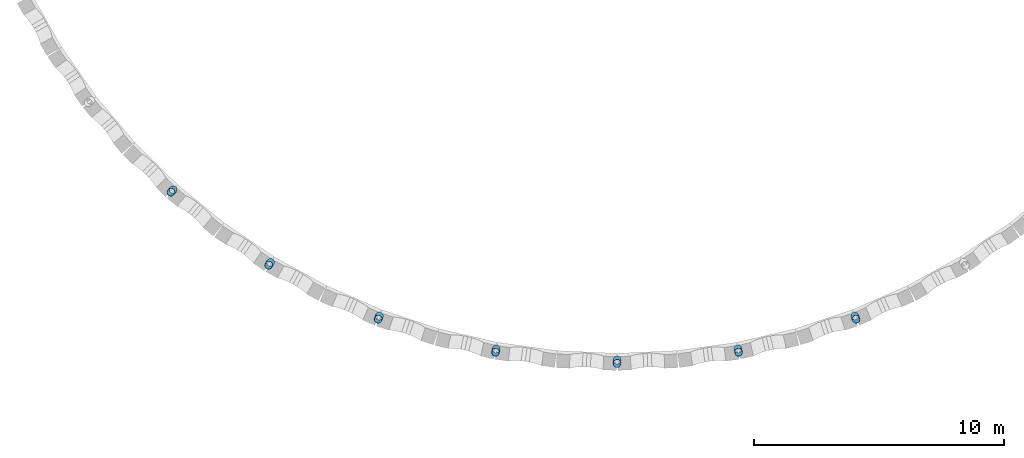
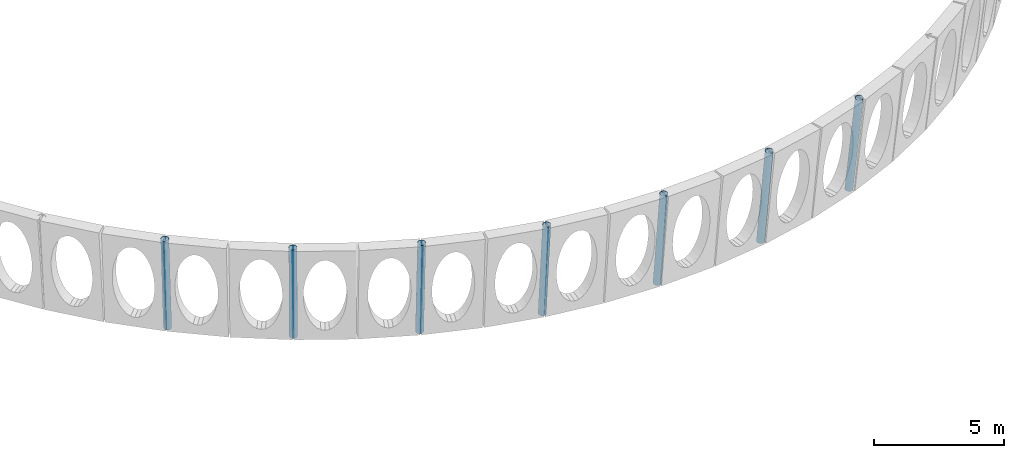
# One storey, part 5 of 164: 7 columns.
"""IFC4 building model written with IfcOpenShell, lengths in metres."""

from ifc_helpers import new_model, si_unit, direction, frame, origin, origin_2d, place, context, subcontext, project, spatial, hollow_circle, extrude, material, material_profile, profile_set, type_object, element, save


model = new_model("IFC4")

# Units and contexts
model_context = context("Model", 3, precision=1e-05, world=origin(), true_north=direction((0.0, 1.0)))
body_context = subcontext(model_context, "Body", "Model", "MODEL_VIEW")
ifc_project = project(units=[si_unit("LENGTHUNIT", "METRE"), si_unit("AREAUNIT", "SQUARE_METRE"), si_unit("VOLUMEUNIT", "CUBIC_METRE"), si_unit("PLANEANGLEUNIT", "RADIAN"), si_unit("MASSUNIT", "GRAM", prefix="KILO")], contexts=[model_context])

# Site, building, storey
site_placement = place(None, origin())
site = spatial("IfcSite", under=ifc_project, at=site_placement, CompositionType="ELEMENT")
building_placement = place(site_placement, origin())
building = spatial("IfcBuilding", under=site, at=building_placement, Name="Mawjan Specialist Oncology Clinic", CompositionType="ELEMENT")
storey_placement = place(building_placement, frame((0.0, 0.0, 5.0)))
storey = spatial("IfcBuildingStorey", under=building, at=storey_placement, Name="L01", CompositionType="ELEMENT", Elevation=5.0)

# Columns
ifc_material = material(Name="Structural steel S355", Category="steel")
ifc_material_profile = material_profile(ifc_material, hollow_circle(Radius=0.161865234375, WallThickness=0.011962890625, at=origin_2d()), Name="CHS 323.9x12", Category="steel")
ifc_profile_set = profile_set([ifc_material_profile], Name="Structural steel S355")
column_type = type_object("IfcColumnType", Name="SC-CHS324", PredefinedType="COLUMN", material=ifc_profile_set)
for number, where, z_axis, x_axis, name in (
    (1, (66.221435546875, 9.2548828125, 0.0), (-0.075736082084, -0.084145212906, 0.993571149448), (0.743270469805, -0.668991037845, 0.0), "Stone-Arc Restraint Pier 2 L01"),
    (2, (70.117431640625, 6.345703125, 0.0), (-0.059133409625, -0.09654324215, 0.993570652878), (0.852751763946, -0.522316407063, 0.0), "Stone-Arc Restraint Pier 3 L01"),
    (3, (74.478271484375, 4.195068359375, 0.0), (-0.040590122417, -0.105706812828, 0.993568574223), (0.933541777546, -0.358468617283, 0.0), "Stone-Arc Restraint Pier 4 L01"),
    (4, (79.157958984375, 2.875244140625, 0.0), (-0.020591607438, -0.111313270572, 0.993572011229), (0.983316721887, -0.181901688988, 0.0), "Stone-Arc Restraint Pier 5 L01"),
    (5, (84.0, 2.430419921875, 0.0), (0.0, -0.11319996068, 0.993572226314), (1.0, 0.0, 0.0), "Stone-Arc Restraint Pier 6 L01"),
    (6, (88.842041015625, 2.875244140625, 0.0), (0.020591607438, -0.111313270572, 0.993572011229), (0.983316721887, 0.181901688988, 0.0), "Stone-Arc Restraint Pier 7 L01"),
    (7, (93.521728515625, 4.195068359375, 0.0), (0.040590122417, -0.105706812828, 0.993568574223), (0.933541777546, 0.358468617283, 0.0), "Stone-Arc Restraint Pier 8 L01"),
):
    element("IfcColumn", number, at=place(storey_placement, frame(where, z_axis=z_axis, x_axis=x_axis)), inside=storey, type_object=column_type, Name=name, PredefinedType="COLUMN", context=body_context, shape_type="SweptSolid", body=[
        extrude(hollow_circle(Radius=0.161865234375, WallThickness=0.011962890625, at=origin_2d()), origin(), (0.0, 0.0, 1.0), 4.529052734375),
    ])

save(model, "model.ifc")
